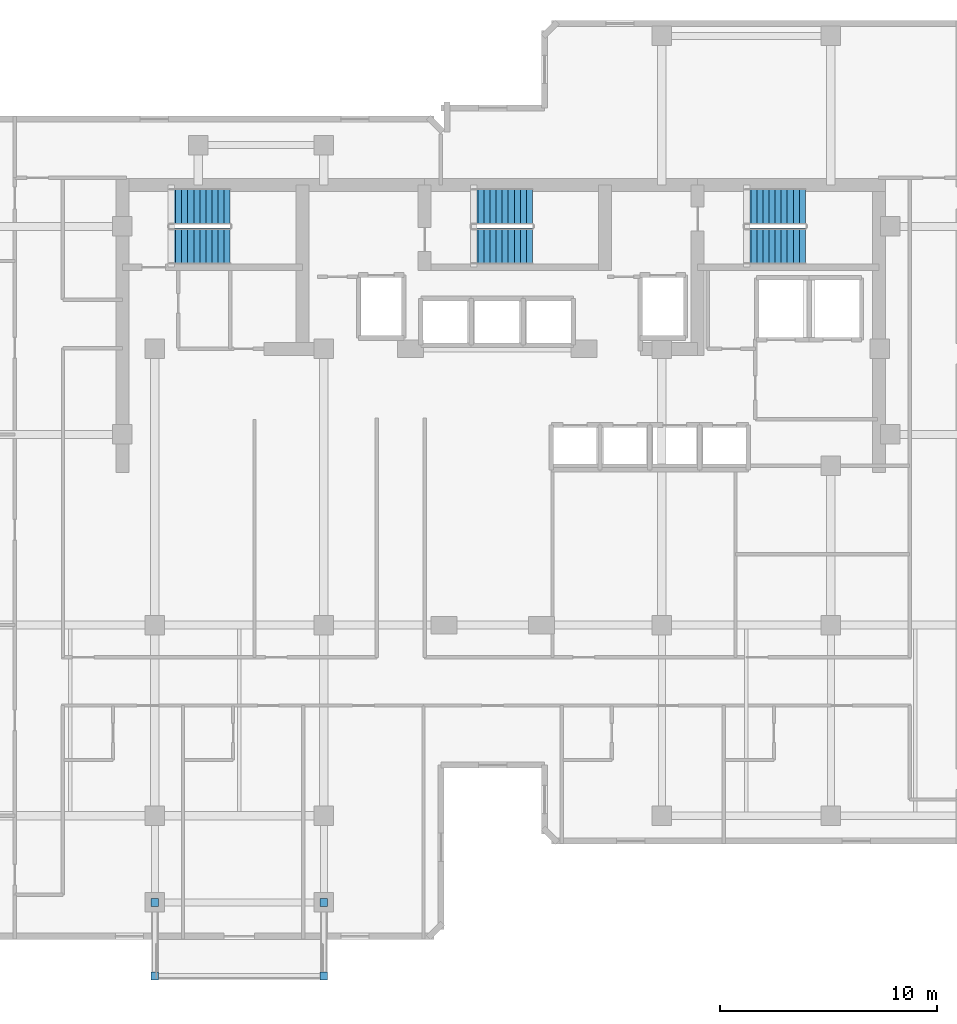
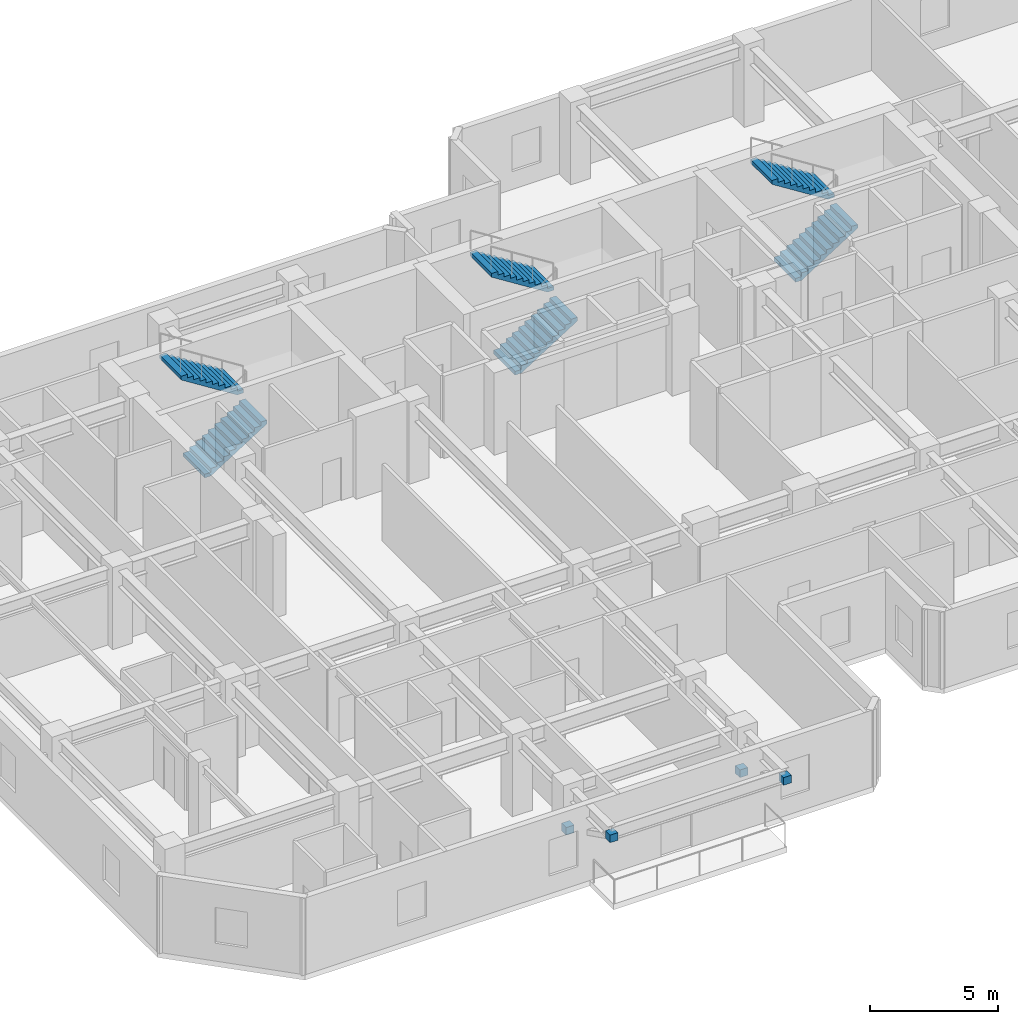
# One storey, part 9 of 11: 6 stair flights, 4 discrete accessories, 3 elements without a shape of their own.
"""IFC4 building model written with IfcOpenShell, lengths in metres."""

from ifc_helpers import new_model, si_unit, direction, frame, origin, origin_2d, place, context, subcontext, project, spatial, polyline, rectangle, outline, extrude, material, type_object, element, aggregate, save


model = new_model("IFC4")

# Units and contexts
model_context = context("Model", 3, precision=1e-05, world=origin(), true_north=direction((0.0, 1.0)))
body_context = subcontext(model_context, "Body", "Model", "MODEL_VIEW")
ifc_project = project(units=[si_unit("LENGTHUNIT", "METRE"), si_unit("AREAUNIT", "SQUARE_METRE"), si_unit("VOLUMEUNIT", "CUBIC_METRE"), si_unit("PLANEANGLEUNIT", "RADIAN"), si_unit("MASSUNIT", "GRAM", prefix="KILO")], contexts=[model_context])

# Site, building, storey
site_placement = place(None, origin())
site = spatial("IfcSite", under=ifc_project, at=site_placement, CompositionType="ELEMENT")
building_placement = place(site_placement, origin())
building = spatial("IfcBuilding", under=site, at=building_placement, Name="Kestravale Grand Hotel", CompositionType="ELEMENT")
storey_placement = place(building_placement, frame((0.0, 0.0, 200.699951171875)))
storey = spatial("IfcBuildingStorey", under=building, at=storey_placement, Name="L50", CompositionType="ELEMENT", Elevation=200.699951171875)

# Stair, stair flights
ifc_material_1 = material(Name="Concrete f'c 45 MPa", Category="concrete")
stair_type = type_object("IfcStairType", Name="ST-CORE-390", PredefinedType="HALF_TURN_STAIR", material=ifc_material_1)
stair_1_placement = place(storey_placement, origin())
stair_1 = element("IfcStair", 1, at=stair_1_placement, inside=storey, type_object=stair_type, Name="L50 ST-1", PredefinedType="HALF_TURN_STAIR")
ifc_material_2 = material(Name="Concrete f'c 45 MPa", Category="concrete")
stair_flight_type = type_object("IfcStairFlightType", Name="STF-CORE-390", PredefinedType="STRAIGHT", material=ifc_material_2)
stair_flight_1_placement = place(storey_placement, frame((24.080078125, 37.489990234375, 0.0), z_axis=(0.0, 0.0, 1.0), x_axis=(1.0, 0.0, 0.0)))
stair_flight_1 = element("IfcStairFlight", 2, at=stair_flight_1_placement, type_object=stair_flight_type, Name="ST-1 flight 1", NumberOfRisers=11, NumberOfTreads=10, PredefinedType="STRAIGHT", RiserHeight=0.177272727, TreadLength=0.28, context=body_context, shape_type="SweptSolid", body=[
    extrude(outline(polyline([(0.0, 0.0), (0.0, 0.17724609375), (0.280029296875, 0.17724609375), (0.280029296875, 0.3544921875), (0.56005859375, 0.3544921875), (0.56005859375, 0.53173828125), (0.840087890625, 0.53173828125), (0.840087890625, 0.708984375), (1.1201171875, 0.708984375), (1.1201171875, 0.886474609375), (1.39990234375, 0.886474609375), (1.39990234375, 1.063720703125), (1.679931640625, 1.063720703125), (1.679931640625, 1.240966796875), (1.9599609375, 1.240966796875), (1.9599609375, 1.418212890625), (2.239990234375, 1.418212890625), (2.239990234375, 1.595458984375), (2.52001953125, 1.595458984375), (2.52001953125, 1.772705078125), (2.800048828125, 1.772705078125), (2.800048828125, 1.949951171875), (2.800048828125, 1.59521484375), (0.2802734375, 0.0), (0.0, 0.0)])), frame((0.0, 0.83984375, 0.0), z_axis=(0.0, -1.0, 0.0), x_axis=(1.0, 0.0, 0.0)), (0.0, 0.0, 1.0), 1.679931640625),
])
stair_flight_2_placement = place(storey_placement, frame((26.8798828125, 39.320068359375, 1.949951171875), z_axis=(0.0, 0.0, 1.0), x_axis=(-1.0, 0.0, 0.0)))
stair_flight_2 = element("IfcStairFlight", 3, at=stair_flight_2_placement, type_object=stair_flight_type, Name="ST-1 flight 2", NumberOfRisers=11, NumberOfTreads=10, PredefinedType="STRAIGHT", RiserHeight=0.177272727, TreadLength=0.28, context=body_context, shape_type="SweptSolid", body=[
    extrude(outline(polyline([(0.0, 0.0), (0.0, 0.17724609375), (0.280029296875, 0.17724609375), (0.280029296875, 0.3544921875), (0.56005859375, 0.3544921875), (0.56005859375, 0.53173828125), (0.840087890625, 0.53173828125), (0.840087890625, 0.708984375), (1.1201171875, 0.708984375), (1.1201171875, 0.886474609375), (1.39990234375, 0.886474609375), (1.39990234375, 1.063720703125), (1.679931640625, 1.063720703125), (1.679931640625, 1.240966796875), (1.9599609375, 1.240966796875), (1.9599609375, 1.418212890625), (2.239990234375, 1.418212890625), (2.239990234375, 1.595458984375), (2.52001953125, 1.595458984375), (2.52001953125, 1.772705078125), (2.800048828125, 1.772705078125), (2.800048828125, 1.949951171875), (2.800048828125, 1.59521484375), (0.2802734375, 0.0), (0.0, 0.0)])), frame((0.0, 0.83984375, 0.0), z_axis=(0.0, -1.0, 0.0), x_axis=(1.0, 0.0, 0.0)), (0.0, 0.0, 1.0), 1.679931640625),
])
aggregate(stair_1, [stair_flight_1, stair_flight_2])

stair_2_placement = place(storey_placement, origin())
stair_2 = element("IfcStair", 4, at=stair_2_placement, inside=storey, type_object=stair_type, Name="L50 ST-2", PredefinedType="HALF_TURN_STAIR")
stair_flight_3_placement = place(storey_placement, frame((38.030029296875, 37.489990234375, 0.0), z_axis=(0.0, 0.0, 1.0), x_axis=(1.0, 0.0, 0.0)))
stair_flight_3 = element("IfcStairFlight", 5, at=stair_flight_3_placement, type_object=stair_flight_type, Name="ST-2 flight 1", NumberOfRisers=11, NumberOfTreads=10, PredefinedType="STRAIGHT", RiserHeight=0.177272727, TreadLength=0.28, context=body_context, shape_type="SweptSolid", body=[
    extrude(outline(polyline([(0.0, 0.0), (0.0, 0.17724609375), (0.280029296875, 0.17724609375), (0.280029296875, 0.3544921875), (0.56005859375, 0.3544921875), (0.56005859375, 0.53173828125), (0.840087890625, 0.53173828125), (0.840087890625, 0.708984375), (1.1201171875, 0.708984375), (1.1201171875, 0.886474609375), (1.39990234375, 0.886474609375), (1.39990234375, 1.063720703125), (1.679931640625, 1.063720703125), (1.679931640625, 1.240966796875), (1.9599609375, 1.240966796875), (1.9599609375, 1.418212890625), (2.239990234375, 1.418212890625), (2.239990234375, 1.595458984375), (2.52001953125, 1.595458984375), (2.52001953125, 1.772705078125), (2.800048828125, 1.772705078125), (2.800048828125, 1.949951171875), (2.800048828125, 1.59521484375), (0.2802734375, 0.0), (0.0, 0.0)])), frame((0.0, 0.83984375, 0.0), z_axis=(0.0, -1.0, 0.0), x_axis=(1.0, 0.0, 0.0)), (0.0, 0.0, 1.0), 1.679931640625),
])
stair_flight_4_placement = place(storey_placement, frame((40.830078125, 39.320068359375, 1.949951171875), z_axis=(0.0, 0.0, 1.0), x_axis=(-1.0, 0.0, 0.0)))
stair_flight_4 = element("IfcStairFlight", 6, at=stair_flight_4_placement, type_object=stair_flight_type, Name="ST-2 flight 2", NumberOfRisers=11, NumberOfTreads=10, PredefinedType="STRAIGHT", RiserHeight=0.177272727, TreadLength=0.28, context=body_context, shape_type="SweptSolid", body=[
    extrude(outline(polyline([(0.0, 0.0), (0.0, 0.17724609375), (0.280029296875, 0.17724609375), (0.280029296875, 0.3544921875), (0.56005859375, 0.3544921875), (0.56005859375, 0.53173828125), (0.840087890625, 0.53173828125), (0.840087890625, 0.708984375), (1.1201171875, 0.708984375), (1.1201171875, 0.886474609375), (1.39990234375, 0.886474609375), (1.39990234375, 1.063720703125), (1.679931640625, 1.063720703125), (1.679931640625, 1.240966796875), (1.9599609375, 1.240966796875), (1.9599609375, 1.418212890625), (2.239990234375, 1.418212890625), (2.239990234375, 1.595458984375), (2.52001953125, 1.595458984375), (2.52001953125, 1.772705078125), (2.800048828125, 1.772705078125), (2.800048828125, 1.949951171875), (2.800048828125, 1.59521484375), (0.2802734375, 0.0), (0.0, 0.0)])), frame((0.0, 0.83984375, 0.0), z_axis=(0.0, -1.0, 0.0), x_axis=(1.0, 0.0, 0.0)), (0.0, 0.0, 1.0), 1.679931640625),
])
aggregate(stair_2, [stair_flight_3, stair_flight_4])

stair_3_placement = place(storey_placement, origin())
stair_3 = element("IfcStair", 7, at=stair_3_placement, inside=storey, type_object=stair_type, Name="L50 ST-3", PredefinedType="HALF_TURN_STAIR")
stair_flight_5_placement = place(storey_placement, frame((50.6298828125, 37.489990234375, 0.0), z_axis=(0.0, 0.0, 1.0), x_axis=(1.0, 0.0, 0.0)))
stair_flight_5 = element("IfcStairFlight", 8, at=stair_flight_5_placement, type_object=stair_flight_type, Name="ST-3 flight 1", NumberOfRisers=11, NumberOfTreads=10, PredefinedType="STRAIGHT", RiserHeight=0.177272727, TreadLength=0.28, context=body_context, shape_type="SweptSolid", body=[
    extrude(outline(polyline([(0.0, 0.0), (0.0, 0.17724609375), (0.280029296875, 0.17724609375), (0.280029296875, 0.3544921875), (0.56005859375, 0.3544921875), (0.56005859375, 0.53173828125), (0.840087890625, 0.53173828125), (0.840087890625, 0.708984375), (1.1201171875, 0.708984375), (1.1201171875, 0.886474609375), (1.39990234375, 0.886474609375), (1.39990234375, 1.063720703125), (1.679931640625, 1.063720703125), (1.679931640625, 1.240966796875), (1.9599609375, 1.240966796875), (1.9599609375, 1.418212890625), (2.239990234375, 1.418212890625), (2.239990234375, 1.595458984375), (2.52001953125, 1.595458984375), (2.52001953125, 1.772705078125), (2.800048828125, 1.772705078125), (2.800048828125, 1.949951171875), (2.800048828125, 1.59521484375), (0.2802734375, 0.0), (0.0, 0.0)])), frame((0.0, 0.83984375, 0.0), z_axis=(0.0, -1.0, 0.0), x_axis=(1.0, 0.0, 0.0)), (0.0, 0.0, 1.0), 1.679931640625),
])
stair_flight_6_placement = place(storey_placement, frame((53.429931640625, 39.320068359375, 1.949951171875), z_axis=(0.0, 0.0, 1.0), x_axis=(-1.0, 0.0, 0.0)))
stair_flight_6 = element("IfcStairFlight", 9, at=stair_flight_6_placement, type_object=stair_flight_type, Name="ST-3 flight 2", NumberOfRisers=11, NumberOfTreads=10, PredefinedType="STRAIGHT", RiserHeight=0.177272727, TreadLength=0.28, context=body_context, shape_type="SweptSolid", body=[
    extrude(outline(polyline([(0.0, 0.0), (0.0, 0.17724609375), (0.280029296875, 0.17724609375), (0.280029296875, 0.3544921875), (0.56005859375, 0.3544921875), (0.56005859375, 0.53173828125), (0.840087890625, 0.53173828125), (0.840087890625, 0.708984375), (1.1201171875, 0.708984375), (1.1201171875, 0.886474609375), (1.39990234375, 0.886474609375), (1.39990234375, 1.063720703125), (1.679931640625, 1.063720703125), (1.679931640625, 1.240966796875), (1.9599609375, 1.240966796875), (1.9599609375, 1.418212890625), (2.239990234375, 1.418212890625), (2.239990234375, 1.595458984375), (2.52001953125, 1.595458984375), (2.52001953125, 1.772705078125), (2.800048828125, 1.772705078125), (2.800048828125, 1.949951171875), (2.800048828125, 1.59521484375), (0.2802734375, 0.0), (0.0, 0.0)])), frame((0.0, 0.83984375, 0.0), z_axis=(0.0, -1.0, 0.0), x_axis=(1.0, 0.0, 0.0)), (0.0, 0.0, 1.0), 1.679931640625),
])
aggregate(stair_3, [stair_flight_5, stair_flight_6])

# Discrete accessories
ifc_material_3 = material(Name="Steel ASTM A572 Grade 50 hot-dip galvanised bracket", Category="steel")
discrete_accessory_type = type_object("IfcDiscreteAccessoryType", Name="ACC-BRK-STL", PredefinedType="BRACKET", material=ifc_material_3)
for number, where, z_axis, x_axis, name in (
    (10, (23.39990234375, 7.199951171875, 1.2939453125), (0.0, 0.0, 1.0), (1.0, 0.0, 0.0), "L51 terrace strut column bracket 1"),
    (11, (23.39990234375, 3.800048828125, 2.994140625), (0.0, 0.0, 1.0), (1.0, 0.0, 0.0), "L51 terrace strut beam bracket 1"),
    (12, (31.199951171875, 7.199951171875, 1.2939453125), (0.0, 0.0, 1.0), (1.0, 0.0, 0.0), "L51 terrace strut column bracket 2"),
    (13, (31.199951171875, 3.800048828125, 2.994140625), (0.0, 0.0, 1.0), (1.0, 0.0, 0.0), "L51 terrace strut beam bracket 2"),
):
    element("IfcDiscreteAccessory", number, at=place(storey_placement, frame(where, z_axis=z_axis, x_axis=x_axis)), inside=storey, type_object=discrete_accessory_type, Name=name, PredefinedType="BRACKET", context=body_context, shape_type="SweptSolid", body=[
        extrude(rectangle(XDim=0.360107421875, YDim=0.360107421875, at=origin_2d()), origin(), (0.0, 0.0, 1.0), 0.360107421875),
    ])

save(model, "model.ifc")
